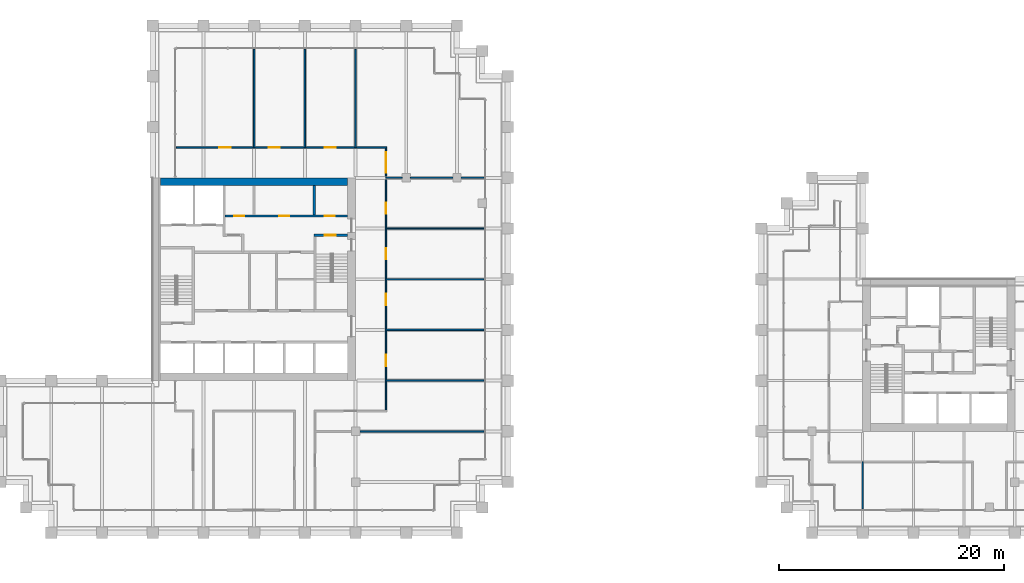
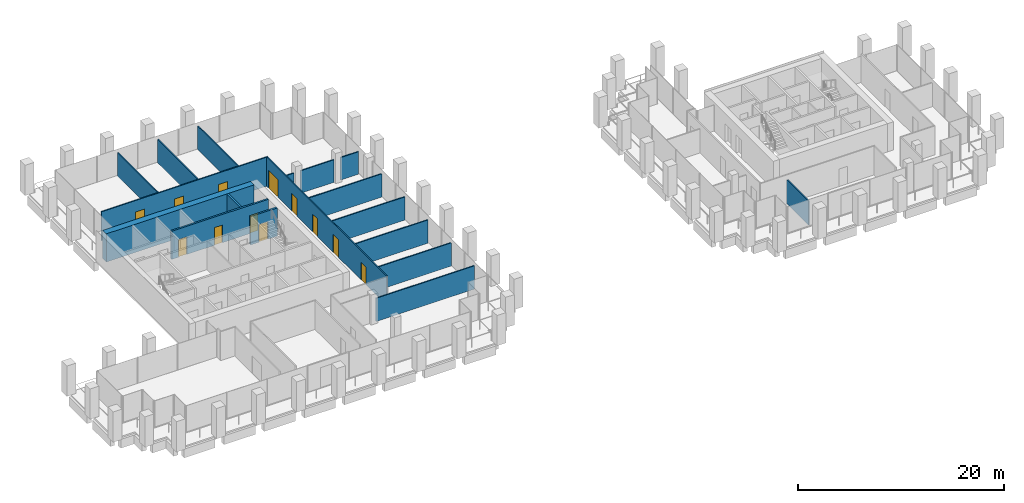
# One storey, part 42 of 46: 18 walls, 12 doors, 12 openings.
"""IFC4 building model written with IfcOpenShell, lengths in metres."""

from ifc_helpers import new_model, si_unit, direction, frame, frame_2d, origin, place, context, subcontext, project, spatial, rectangle, extrude, material, layer, layer_set, type_object, element, fill, save


model = new_model("IFC4")

# Units and contexts
model_context = context("Model", 3, precision=1e-05, world=origin(), true_north=direction((0.0, 1.0)))
body_context = subcontext(model_context, "Body", "Model", "MODEL_VIEW")
ifc_project = project(units=[si_unit("LENGTHUNIT", "METRE"), si_unit("AREAUNIT", "SQUARE_METRE"), si_unit("VOLUMEUNIT", "CUBIC_METRE"), si_unit("PLANEANGLEUNIT", "RADIAN"), si_unit("MASSUNIT", "GRAM", prefix="KILO")], contexts=[model_context])

# Site, building, storey
site_placement = place(None, origin())
site = spatial("IfcSite", under=ifc_project, at=site_placement, CompositionType="ELEMENT")
building_placement = place(site_placement, origin())
building = spatial("IfcBuilding", under=site, at=building_placement, Name="Altepetl Exchange Towers", CompositionType="ELEMENT")
storey_placement = place(building_placement, frame((0.0, 0.0, 131.60009765625)))
storey = spatial("IfcBuildingStorey", under=building, at=storey_placement, Name="L32", CompositionType="ELEMENT", Elevation=131.60009765625)

# Walls
ifc_material_1 = material(Name="Concrete C70/85", Category="concrete")
ifc_layer_1 = layer(ifc_material_1, 0.699951171875)
ifc_layer_set_1 = layer_set([ifc_layer_1], Name="Concrete C70/85")
wall_type_1 = type_object("IfcWallType", Name="Core wall 700 reinforced concrete", PredefinedType="SHEAR", material=ifc_layer_set_1)
wall_1_placement = place(storey_placement, frame((41.199951171875, 58.14990234375, 0.0)))
element("IfcWall", 1, at=wall_1_placement, inside=storey, type_object=wall_type_1, Name="wall:A:L32:K-coreN", PredefinedType="SHEAR", context=body_context, shape_type="SweptSolid", body=[
    extrude(rectangle(XDim=16.60009765625, YDim=0.699951171875, at=frame_2d((8.300048828125, 0.0))), origin(), (0.0, 0.0, 1.0), 3.349853515625),
])
ifc_material_2 = material(Name="Gypsum board on steel studs", Category="steel")
ifc_layer_2 = layer(ifc_material_2, 0.125)
ifc_layer_set_2 = layer_set([ifc_layer_2], Name="Gypsum board on steel studs")
wall_type_2 = type_object("IfcWallType", Name="Partition 125 gypsum board on steel studs", PredefinedType="PARTITIONING", material=ifc_layer_set_2)
wall_2_placement = place(storey_placement, frame((58.875, 36.0, 0.0)))
element("IfcWall", 2, at=wall_2_placement, inside=storey, type_object=wall_type_2, Name="wall:A:L32:P02", PredefinedType="PARTITIONING", context=body_context, shape_type="SweptSolid", body=[
    extrude(rectangle(XDim=11.02490234375, YDim=0.125, at=frame_2d((5.512451171875, 0.0))), origin(), (0.0, 0.0, 1.0), 2.765869140625),
])
for number, where, name in (
    (3, (61.199951171875, 40.5, 0.0), "wall:A:L32:P06"),
    (4, (61.199951171875, 45.0, 0.0), "wall:A:L32:P07"),
    (5, (61.199951171875, 49.5, 0.0), "wall:A:L32:P08"),
    (6, (61.199951171875, 54.0, 0.0), "wall:A:L32:P09"),
):
    element("IfcWall", number, at=place(storey_placement, frame(where)), inside=storey, type_object=wall_type_2, Name=name, PredefinedType="PARTITIONING", context=body_context, shape_type="SweptSolid", body=[
        extrude(rectangle(XDim=8.699951171875, YDim=0.125, at=frame_2d((4.35009765625, 0.0))), origin(), (0.0, 0.0, 1.0), 2.765869140625),
    ])
wall_3_placement = place(storey_placement, frame((61.199951171875, 58.5, 0.0)))
element("IfcWall", 7, at=wall_3_placement, inside=storey, type_object=wall_type_2, Name="wall:A:L32:P10", PredefinedType="PARTITIONING", context=body_context, shape_type="SweptSolid", body=[
    extrude(rectangle(XDim=1.425048828125, YDim=0.125, at=frame_2d((0.71240234375, 0.0))), origin(), (0.0, 0.0, 1.0), 2.67578125),
])
wall_4_placement = place(storey_placement, frame((63.375, 58.5, 0.0)))
element("IfcWall", 8, at=wall_4_placement, inside=storey, type_object=wall_type_2, Name="wall:A:L32:P11", PredefinedType="PARTITIONING", context=body_context, shape_type="SweptSolid", body=[
    extrude(rectangle(XDim=3.75, YDim=0.125, at=frame_2d((1.875, 0.0))), origin(), (0.0, 0.0, 1.0), 2.67578125),
])
wall_5_placement = place(storey_placement, frame((67.875, 58.5, 0.0)))
element("IfcWall", 9, at=wall_5_placement, inside=storey, type_object=wall_type_2, Name="wall:A:L32:P12", PredefinedType="PARTITIONING", context=body_context, shape_type="SweptSolid", body=[
    extrude(rectangle(XDim=2.02490234375, YDim=0.125, at=frame_2d((1.012451171875, 0.0))), origin(), (0.0, 0.0, 1.0), 2.67578125),
])

# Wall, openings, doors
wall_6_placement = place(storey_placement, frame((42.60009765625, 61.199951171875, 0.0)))
wall_6 = element("IfcWall", 10, at=wall_6_placement, inside=storey, type_object=wall_type_2, Name="wall:A:L32:P13", PredefinedType="PARTITIONING", context=body_context, shape_type="SweptSolid", body=[
    extrude(rectangle(XDim=18.662353515625, YDim=0.125, at=frame_2d((9.3310546875, 0.0))), origin(), (0.0, 0.0, 1.0), 3.449951171875),
])
opening_1_placement = place(wall_6_placement, frame((13.14990234375, 0.0, 0.0)))
opening_1 = element("IfcOpeningElement", 11, at=opening_1_placement, cuts=wall_6, Name="Opening L32.A10", PredefinedType="OPENING", context=body_context, shape_type="SweptSolid", body=[
    extrude(rectangle(XDim=1.0, YDim=2.10009765625, at=frame_2d((0.5, 1.050048828125))), frame((0.0, 0.072509765625, 0.0), z_axis=(0.0, -1.0, 0.0), x_axis=(1.0, 0.0, 0.0)), (0.0, 0.0, 1.0), 0.14501953125),
])
opening_2_placement = place(wall_6_placement, frame((8.195068359375, 0.0, 0.0)))
opening_2 = element("IfcOpeningElement", 12, at=opening_2_placement, cuts=wall_6, Name="Opening L32.A11", PredefinedType="OPENING", context=body_context, shape_type="SweptSolid", body=[
    extrude(rectangle(XDim=1.0, YDim=2.10009765625, at=frame_2d((0.5, 1.050048828125))), frame((0.0, 0.072509765625, 0.0), z_axis=(0.0, -1.0, 0.0), x_axis=(1.0, 0.0, 0.0)), (0.0, 0.0, 1.0), 0.14501953125),
])
opening_3_placement = place(wall_6_placement, frame((3.824951171875, 0.0, 0.0)))
opening_3 = element("IfcOpeningElement", 13, at=opening_3_placement, cuts=wall_6, Name="Opening L32.A12", PredefinedType="OPENING", context=body_context, shape_type="SweptSolid", body=[
    extrude(rectangle(XDim=1.0, YDim=2.10009765625, at=frame_2d((0.5, 1.050048828125))), frame((0.0, 0.072509765625, 0.0), z_axis=(0.0, -1.0, 0.0), x_axis=(1.0, 0.0, 0.0)), (0.0, 0.0, 1.0), 0.14501953125),
])
ifc_material_3 = material(Name="Steel and timber fire door", Category="steel")
door_type_1 = type_object("IfcDoorType", Name="Fire door 1000 x 2100 single leaf", OperationType="SINGLE_SWING_LEFT", PredefinedType="DOOR", material=ifc_material_3)
door_1_placement = place(opening_1_placement, origin())
door_1 = element("IfcDoor", 14, at=door_1_placement, inside=storey, type_object=door_type_1, Name="door:A:L32:10", OperationType="SINGLE_SWING_LEFT", OverallHeight=2.10009765625, OverallWidth=1.0, PredefinedType="DOOR", context=body_context, shape_type="SweptSolid", body=[
    extrude(rectangle(XDim=1.0, YDim=2.10009765625, at=frame_2d((0.5, 1.050048828125))), frame((0.0, 0.02490234375, 0.0), z_axis=(0.0, -1.0, 0.0), x_axis=(1.0, 0.0, 0.0)), (0.0, 0.0, 1.0), 0.050048828125),
])
fill(opening_1, door_1)
door_2_placement = place(opening_2_placement, origin())
door_2 = element("IfcDoor", 15, at=door_2_placement, inside=storey, type_object=door_type_1, Name="door:A:L32:11", OperationType="SINGLE_SWING_RIGHT", OverallHeight=2.10009765625, OverallWidth=1.0, PredefinedType="DOOR", context=body_context, shape_type="SweptSolid", body=[
    extrude(rectangle(XDim=1.0, YDim=2.10009765625, at=frame_2d((0.5, 1.050048828125))), frame((0.0, 0.02490234375, 0.0), z_axis=(0.0, -1.0, 0.0), x_axis=(1.0, 0.0, 0.0)), (0.0, 0.0, 1.0), 0.050048828125),
])
fill(opening_2, door_2)
door_3_placement = place(opening_3_placement, origin())
door_3 = element("IfcDoor", 16, at=door_3_placement, inside=storey, type_object=door_type_1, Name="door:A:L32:12", OperationType="SINGLE_SWING_LEFT", OverallHeight=2.10009765625, OverallWidth=1.0, PredefinedType="DOOR", context=body_context, shape_type="SweptSolid", body=[
    extrude(rectangle(XDim=1.0, YDim=2.10009765625, at=frame_2d((0.5, 1.050048828125))), frame((0.0, 0.02490234375, 0.0), z_axis=(0.0, -1.0, 0.0), x_axis=(1.0, 0.0, 0.0)), (0.0, 0.0, 1.0), 0.050048828125),
])
fill(opening_3, door_3)

# Walls
for number, where, z_axis, x_axis, name in (
    (17, (49.5, 61.199951171875, 0.0), (0.0, 0.0, 1.0), (0.0, 1.0, 0.0), "wall:A:L32:P17"),
    (18, (54.0, 61.199951171875, 0.0), (0.0, 0.0, 1.0), (0.0, 1.0, 0.0), "wall:A:L32:P19"),
    (19, (58.5, 61.199951171875, 0.0), (0.0, 0.0, 1.0), (0.0, 1.0, 0.0), "wall:A:L32:P21"),
):
    element("IfcWall", number, at=place(storey_placement, frame(where, z_axis=z_axis, x_axis=x_axis)), inside=storey, type_object=wall_type_2, Name=name, PredefinedType="PARTITIONING", context=body_context, shape_type="SweptSolid", body=[
        extrude(rectangle(XDim=8.699951171875, YDim=0.125, at=frame_2d((4.35009765625, 0.0))), origin(), (0.0, 0.0, 1.0), 2.765869140625),
    ])

# Wall, openings, doors
wall_7_placement = place(storey_placement, frame((61.199951171875, 37.862548828125, 0.0), z_axis=(0.0, 0.0, 1.0), x_axis=(0.0, 1.0, 0.0)))
wall_7 = element("IfcWall", 20, at=wall_7_placement, inside=storey, type_object=wall_type_2, Name="wall:A:L32:P22", PredefinedType="PARTITIONING", context=body_context, shape_type="SweptSolid", body=[
    extrude(rectangle(XDim=23.27490234375, YDim=0.125, at=frame_2d((11.637451171875, 0.0))), origin(), (0.0, 0.0, 1.0), 3.449951171875),
])
opening_4_placement = place(wall_7_placement, frame((3.9326171875, 0.0, 0.0)))
opening_4 = element("IfcOpeningElement", 21, at=opening_4_placement, cuts=wall_7, Name="Opening L32.A05", PredefinedType="OPENING", context=body_context, shape_type="SweptSolid", body=[
    extrude(rectangle(XDim=1.0, YDim=2.10009765625, at=frame_2d((0.5, 1.050048828125))), frame((0.0, 0.072509765625, 0.0), z_axis=(0.0, -1.0, 0.0), x_axis=(1.0, 0.0, 0.0)), (0.0, 0.0, 1.0), 0.14501953125),
])
opening_5_placement = place(wall_7_placement, frame((9.342529296875, 0.0, 0.0)))
opening_5 = element("IfcOpeningElement", 22, at=opening_5_placement, cuts=wall_7, Name="Opening L32.A06", PredefinedType="OPENING", context=body_context, shape_type="SweptSolid", body=[
    extrude(rectangle(XDim=1.0, YDim=2.10009765625, at=frame_2d((0.5, 1.050048828125))), frame((0.0, 0.072509765625, 0.0), z_axis=(0.0, -1.0, 0.0), x_axis=(1.0, 0.0, 0.0)), (0.0, 0.0, 1.0), 0.14501953125),
])
opening_6_placement = place(wall_7_placement, frame((13.387451171875, 0.0, 0.0)))
opening_6 = element("IfcOpeningElement", 23, at=opening_6_placement, cuts=wall_7, Name="Opening L32.A07", PredefinedType="OPENING", context=body_context, shape_type="SweptSolid", body=[
    extrude(rectangle(XDim=1.0, YDim=2.10009765625, at=frame_2d((0.5, 1.050048828125))), frame((0.0, 0.072509765625, 0.0), z_axis=(0.0, -1.0, 0.0), x_axis=(1.0, 0.0, 0.0)), (0.0, 0.0, 1.0), 0.14501953125),
])
opening_7_placement = place(wall_7_placement, frame((17.4326171875, 0.0, 0.0)))
opening_7 = element("IfcOpeningElement", 24, at=opening_7_placement, cuts=wall_7, Name="Opening L32.A08", PredefinedType="OPENING", context=body_context, shape_type="SweptSolid", body=[
    extrude(rectangle(XDim=1.0, YDim=2.10009765625, at=frame_2d((0.5, 1.050048828125))), frame((0.0, 0.072509765625, 0.0), z_axis=(0.0, -1.0, 0.0), x_axis=(1.0, 0.0, 0.0)), (0.0, 0.0, 1.0), 0.14501953125),
])
opening_8_placement = place(wall_7_placement, frame((21.08740234375, 0.0, 0.0)))
opening_8 = element("IfcOpeningElement", 25, at=opening_8_placement, cuts=wall_7, Name="Opening L32.A09", PredefinedType="OPENING", context=body_context, shape_type="SweptSolid", body=[
    extrude(rectangle(XDim=1.800048828125, YDim=2.10009765625, at=frame_2d((0.89990234375, 1.050048828125))), frame((0.0, 0.072509765625, 0.0), z_axis=(0.0, -1.0, 0.0), x_axis=(1.0, 0.0, 0.0)), (0.0, 0.0, 1.0), 0.14501953125),
])
door_4_placement = place(opening_4_placement, frame((1.0, 0.0, 0.0), x_axis=(-1.0, 0.0, 0.0)))
door_4 = element("IfcDoor", 26, at=door_4_placement, inside=storey, type_object=door_type_1, Name="door:A:L32:05", OperationType="SINGLE_SWING_LEFT", OverallHeight=2.10009765625, OverallWidth=1.0, PredefinedType="DOOR", context=body_context, shape_type="SweptSolid", body=[
    extrude(rectangle(XDim=1.0, YDim=2.10009765625, at=frame_2d((0.5, 1.050048828125))), frame((0.0, 0.02490234375, 0.0), z_axis=(0.0, -1.0, 0.0), x_axis=(1.0, 0.0, 0.0)), (0.0, 0.0, 1.0), 0.050048828125),
])
fill(opening_4, door_4)
door_5_placement = place(opening_5_placement, frame((1.0, 0.0, 0.0), x_axis=(-1.0, 0.0, 0.0)))
door_5 = element("IfcDoor", 27, at=door_5_placement, inside=storey, type_object=door_type_1, Name="door:A:L32:06", OperationType="SINGLE_SWING_RIGHT", OverallHeight=2.10009765625, OverallWidth=1.0, PredefinedType="DOOR", context=body_context, shape_type="SweptSolid", body=[
    extrude(rectangle(XDim=1.0, YDim=2.10009765625, at=frame_2d((0.5, 1.050048828125))), frame((0.0, 0.02490234375, 0.0), z_axis=(0.0, -1.0, 0.0), x_axis=(1.0, 0.0, 0.0)), (0.0, 0.0, 1.0), 0.050048828125),
])
fill(opening_5, door_5)
door_6_placement = place(opening_6_placement, frame((1.0, 0.0, 0.0), x_axis=(-1.0, 0.0, 0.0)))
door_6 = element("IfcDoor", 28, at=door_6_placement, inside=storey, type_object=door_type_1, Name="door:A:L32:07", OperationType="SINGLE_SWING_LEFT", OverallHeight=2.10009765625, OverallWidth=1.0, PredefinedType="DOOR", context=body_context, shape_type="SweptSolid", body=[
    extrude(rectangle(XDim=1.0, YDim=2.10009765625, at=frame_2d((0.5, 1.050048828125))), frame((0.0, 0.02490234375, 0.0), z_axis=(0.0, -1.0, 0.0), x_axis=(1.0, 0.0, 0.0)), (0.0, 0.0, 1.0), 0.050048828125),
])
fill(opening_6, door_6)
door_7_placement = place(opening_7_placement, frame((1.0, 0.0, 0.0), x_axis=(-1.0, 0.0, 0.0)))
door_7 = element("IfcDoor", 29, at=door_7_placement, inside=storey, type_object=door_type_1, Name="door:A:L32:08", OperationType="SINGLE_SWING_RIGHT", OverallHeight=2.10009765625, OverallWidth=1.0, PredefinedType="DOOR", context=body_context, shape_type="SweptSolid", body=[
    extrude(rectangle(XDim=1.0, YDim=2.10009765625, at=frame_2d((0.5, 1.050048828125))), frame((0.0, 0.02490234375, 0.0), z_axis=(0.0, -1.0, 0.0), x_axis=(1.0, 0.0, 0.0)), (0.0, 0.0, 1.0), 0.050048828125),
])
fill(opening_7, door_7)
door_type_2 = type_object("IfcDoorType", Name="Fire door 1800 x 2100 double leaf", OperationType="DOUBLE_DOOR_SINGLE_SWING", PredefinedType="DOOR", material=ifc_material_3)
door_8_placement = place(opening_8_placement, frame((1.800048828125, 0.0, 0.0), x_axis=(-1.0, 0.0, 0.0)))
door_8 = element("IfcDoor", 30, at=door_8_placement, inside=storey, type_object=door_type_2, Name="door:A:L32:09", OperationType="DOUBLE_DOOR_SINGLE_SWING", OverallHeight=2.10009765625, OverallWidth=1.800048828125, PredefinedType="DOOR", context=body_context, shape_type="SweptSolid", body=[
    extrude(rectangle(XDim=1.800048828125, YDim=2.10009765625, at=frame_2d((0.89990234375, 1.050048828125))), frame((0.0, 0.02490234375, 0.0), z_axis=(0.0, -1.0, 0.0), x_axis=(1.0, 0.0, 0.0)), (0.0, 0.0, 1.0), 0.050048828125),
])
fill(opening_8, door_8)

# Walls
wall_8_placement = place(storey_placement, frame((103.5, 29.10009765625, 0.0), z_axis=(0.0, 0.0, 1.0), x_axis=(0.0, 1.0, 0.0)))
element("IfcWall", 31, at=wall_8_placement, inside=storey, type_object=wall_type_2, Name="wall:B:L32:P09", PredefinedType="PARTITIONING", context=body_context, shape_type="SweptSolid", body=[
    extrude(rectangle(XDim=4.199951171875, YDim=0.125, at=frame_2d((2.10009765625, 0.0))), origin(), (0.0, 0.0, 1.0), 2.850830078125),
])
ifc_material_4 = material(Name="Concrete C40/50", Category="concrete")
ifc_layer_3 = layer(ifc_material_4, 0.199951171875)
ifc_layer_set_3 = layer_set([ifc_layer_3], Name="Concrete C40/50")
wall_type_3 = type_object("IfcWallType", Name="Shaft wall 200 reinforced concrete", PredefinedType="SHEAR", material=ifc_layer_set_3)
wall_9_placement = place(storey_placement, frame((54.833251953125, 57.800048828125, 0.0), z_axis=(0.0, 0.0, 1.0), x_axis=(0.0, -1.0, 0.0)))
element("IfcWall", 32, at=wall_9_placement, inside=storey, type_object=wall_type_3, Name="wall:A:L32:K-divN5", PredefinedType="SHEAR", context=body_context, shape_type="SweptSolid", body=[
    extrude(rectangle(XDim=2.60009765625, YDim=0.199951171875, at=frame_2d((1.300048828125, 0.0))), origin(), (0.0, 0.0, 1.0), 3.349853515625),
])

# Wall, openings, doors
wall_10_placement = place(storey_placement, frame((46.933349609375, 55.10009765625, 0.0)))
wall_10 = element("IfcWall", 33, at=wall_10_placement, inside=storey, type_object=wall_type_3, Name="wall:A:L32:K-frontNb", PredefinedType="SHEAR", context=body_context, shape_type="SweptSolid", body=[
    extrude(rectangle(XDim=10.86669921875, YDim=0.199951171875, at=frame_2d((5.433349609375, 0.0))), origin(), (0.0, 0.0, 1.0), 3.349853515625),
])
opening_9_placement = place(wall_10_placement, frame((8.83349609375, 0.0, 0.0)))
opening_9 = element("IfcOpeningElement", 34, at=opening_9_placement, cuts=wall_10, Name="Opening L32.A66", PredefinedType="OPENING", context=body_context, shape_type="SweptSolid", body=[
    extrude(rectangle(XDim=0.89990234375, YDim=2.10009765625, at=frame_2d((0.449951171875, 1.050048828125))), frame((0.0, 0.10986328125, 0.0), z_axis=(0.0, -1.0, 0.0), x_axis=(1.0, 0.0, 0.0)), (0.0, 0.0, 1.0), 0.219970703125),
])
opening_10_placement = place(wall_10_placement, frame((0.783447265625, 0.0, 0.0)))
opening_10 = element("IfcOpeningElement", 35, at=opening_10_placement, cuts=wall_10, Name="Opening L32.A67", PredefinedType="OPENING", context=body_context, shape_type="SweptSolid", body=[
    extrude(rectangle(XDim=0.89990234375, YDim=2.10009765625, at=frame_2d((0.449951171875, 1.050048828125))), frame((0.0, 0.10986328125, 0.0), z_axis=(0.0, -1.0, 0.0), x_axis=(1.0, 0.0, 0.0)), (0.0, 0.0, 1.0), 0.219970703125),
])
opening_11_placement = place(wall_10_placement, frame((4.783447265625, 0.0, 0.0)))
opening_11 = element("IfcOpeningElement", 36, at=opening_11_placement, cuts=wall_10, Name="Opening L32.A68", PredefinedType="OPENING", context=body_context, shape_type="SweptSolid", body=[
    extrude(rectangle(XDim=0.89990234375, YDim=2.10009765625, at=frame_2d((0.449951171875, 1.050048828125))), frame((0.0, 0.10986328125, 0.0), z_axis=(0.0, -1.0, 0.0), x_axis=(1.0, 0.0, 0.0)), (0.0, 0.0, 1.0), 0.219970703125),
])
door_type_3 = type_object("IfcDoorType", Name="Fire door 900 x 2100 service room", OperationType="SINGLE_SWING_LEFT", PredefinedType="DOOR", material=ifc_material_3)
door_9_placement = place(opening_9_placement, origin())
door_9 = element("IfcDoor", 37, at=door_9_placement, inside=storey, type_object=door_type_3, Name="door:A:L32:K-driser", OperationType="SINGLE_SWING_RIGHT", OverallHeight=2.10009765625, OverallWidth=0.89990234375, PredefinedType="DOOR", context=body_context, shape_type="SweptSolid", body=[
    extrude(rectangle(XDim=0.89990234375, YDim=2.10009765625, at=frame_2d((0.449951171875, 1.050048828125))), frame((0.0, 0.02490234375, 0.0), z_axis=(0.0, -1.0, 0.0), x_axis=(1.0, 0.0, 0.0)), (0.0, 0.0, 1.0), 0.050048828125),
])
fill(opening_9, door_9)
door_10_placement = place(opening_10_placement, origin())
door_10 = element("IfcDoor", 38, at=door_10_placement, inside=storey, type_object=door_type_3, Name="door:A:L32:K-dslotN2", OperationType="SINGLE_SWING_RIGHT", OverallHeight=2.10009765625, OverallWidth=0.89990234375, PredefinedType="DOOR", context=body_context, shape_type="SweptSolid", body=[
    extrude(rectangle(XDim=0.89990234375, YDim=2.10009765625, at=frame_2d((0.449951171875, 1.050048828125))), frame((0.0, 0.02490234375, 0.0), z_axis=(0.0, -1.0, 0.0), x_axis=(1.0, 0.0, 0.0)), (0.0, 0.0, 1.0), 0.050048828125),
])
fill(opening_10, door_10)
door_11_placement = place(opening_11_placement, origin())
door_11 = element("IfcDoor", 39, at=door_11_placement, inside=storey, type_object=door_type_3, Name="door:A:L32:K-dslotN3", OperationType="SINGLE_SWING_RIGHT", OverallHeight=2.10009765625, OverallWidth=0.89990234375, PredefinedType="DOOR", context=body_context, shape_type="SweptSolid", body=[
    extrude(rectangle(XDim=0.89990234375, YDim=2.10009765625, at=frame_2d((0.449951171875, 1.050048828125))), frame((0.0, 0.02490234375, 0.0), z_axis=(0.0, -1.0, 0.0), x_axis=(1.0, 0.0, 0.0)), (0.0, 0.0, 1.0), 0.050048828125),
])
fill(opening_11, door_11)

# Wall, opening, door
ifc_layer_4 = layer(ifc_material_4, 0.199951171875)
ifc_layer_set_4 = layer_set([ifc_layer_4], Name="Concrete C40/50")
wall_type_4 = type_object("IfcWallType", Name="Stair wall 200 reinforced concrete", PredefinedType="SHEAR", material=ifc_layer_set_4)
wall_11_placement = place(storey_placement, frame((54.800048828125, 53.39990234375, 0.0)))
wall_11 = element("IfcWall", 40, at=wall_11_placement, inside=storey, type_object=wall_type_4, Name="wall:A:L32:K-stS2N", PredefinedType="SHEAR", context=body_context, shape_type="SweptSolid", body=[
    extrude(rectangle(XDim=3.0, YDim=0.199951171875, at=frame_2d((1.5, 0.0))), origin(), (0.0, 0.0, 1.0), 3.349853515625),
])
opening_12_placement = place(wall_11_placement, frame((0.949951171875, 0.0, 0.0)))
opening_12 = element("IfcOpeningElement", 41, at=opening_12_placement, cuts=wall_11, Name="Opening L32.A63", PredefinedType="OPENING", context=body_context, shape_type="SweptSolid", body=[
    extrude(rectangle(XDim=1.0, YDim=2.10009765625, at=frame_2d((0.5, 1.050048828125))), frame((0.0, 0.10986328125, 0.0), z_axis=(0.0, -1.0, 0.0), x_axis=(1.0, 0.0, 0.0)), (0.0, 0.0, 1.0), 0.219970703125),
])
door_type_4 = type_object("IfcDoorType", Name="Fire door 1000 x 2100 stair and lobby", OperationType="SINGLE_SWING_LEFT", PredefinedType="DOOR", material=ifc_material_3)
door_12_placement = place(opening_12_placement, frame((1.0, 0.0, 0.0), x_axis=(-1.0, 0.0, 0.0)))
door_12 = element("IfcDoor", 42, at=door_12_placement, inside=storey, type_object=door_type_4, Name="door:A:L32:K-dS2in", OperationType="SINGLE_SWING_LEFT", OverallHeight=2.10009765625, OverallWidth=1.0, PredefinedType="DOOR", context=body_context, shape_type="SweptSolid", body=[
    extrude(rectangle(XDim=1.0, YDim=2.10009765625, at=frame_2d((0.5, 1.050048828125))), frame((0.0, 0.02490234375, 0.0), z_axis=(0.0, -1.0, 0.0), x_axis=(1.0, 0.0, 0.0)), (0.0, 0.0, 1.0), 0.050048828125),
])
fill(opening_12, door_12)

save(model, "model.ifc")
